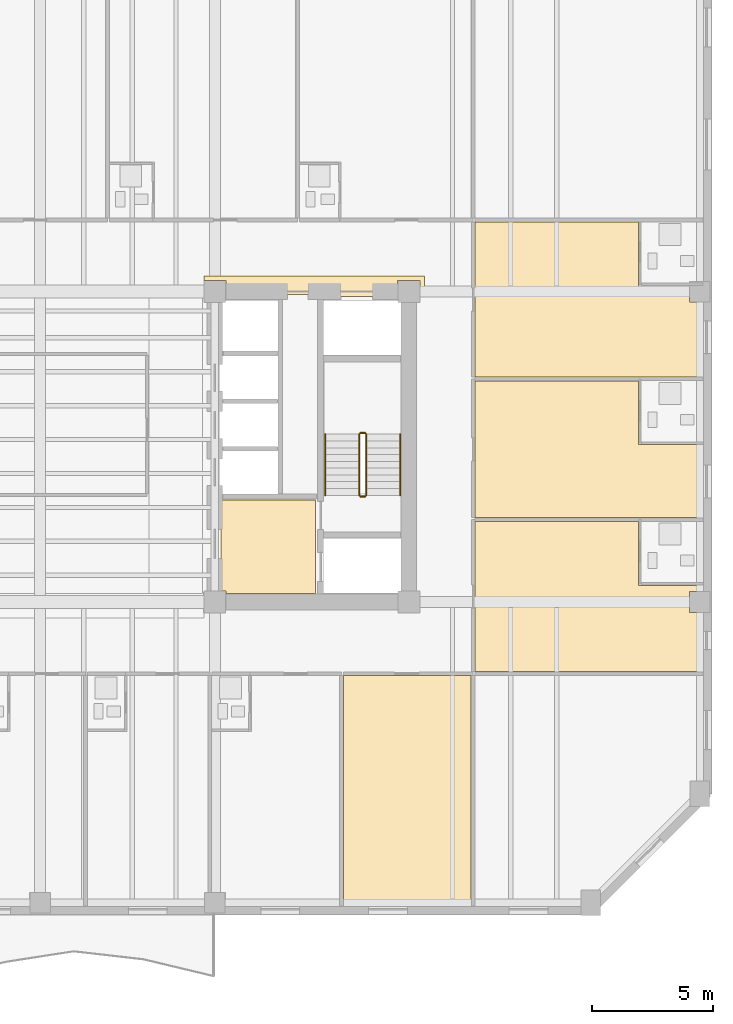
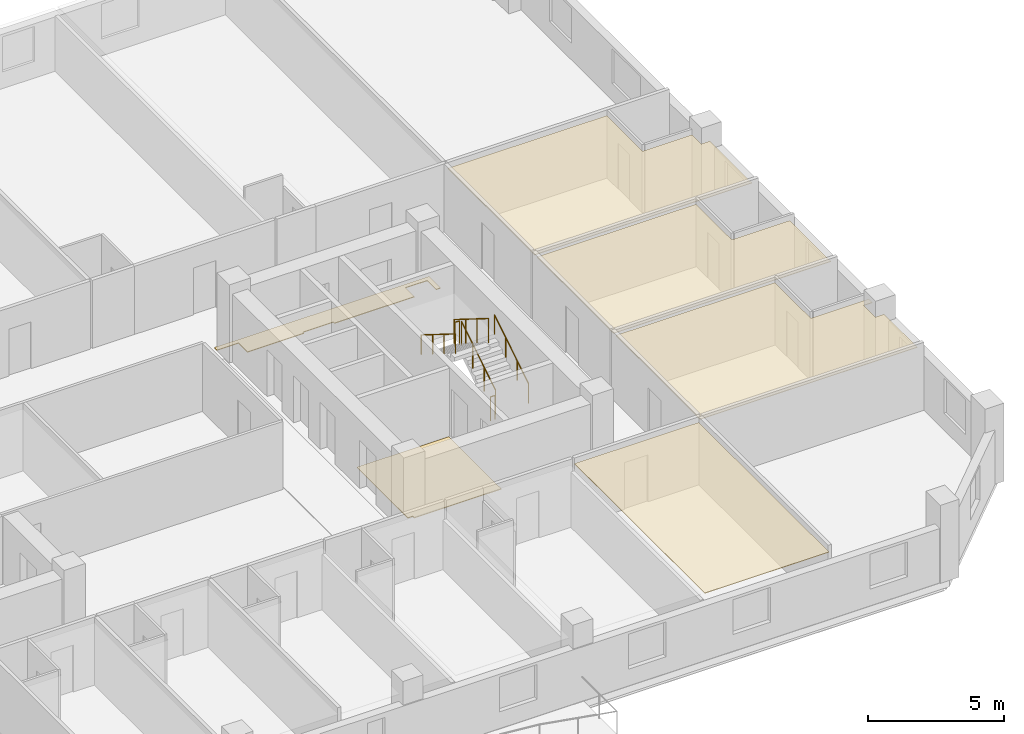
# One storey, part 11 of 13: 6 coverings, 6 railings.
"""IFC4 building model written with IfcOpenShell, lengths in metres."""

import ifcopenshell
import ifcopenshell.guid

model = None  # the IFC model being written
_history = None  # IfcOwnerHistory: only IFC2X3 demands one
_inside = {}  # id of a spatial element -> (the spatial element, [elements in it])
_under = {}  # id of a project, library or spatial element -> (it, [spatial elements below it])
_declared = {}  # id of a project -> (the project, [libraries it declares])
_typed = {}  # id of a type object -> (the type object, [elements of that type])
_made_of = {}  # id of a material, layer set ... -> (it, [elements and type objects made of it])


def new_model(schema):
    """Start an empty IFC model of exactly this schema.

    Asked for "IFC4X3", IfcOpenShell would pick the latest addendum, in which some entities
    have other attributes; the version numbers below select the first issue.
    IFC2X3 requires an IfcOwnerHistory on every rooted entity: one is made here for all.
    """
    global model, _history
    if schema == "IFC4X3":
        model = ifcopenshell.file(schema_version=(4, 3, 0, 0))
    else:
        model = ifcopenshell.file(schema=schema)
    _inside.clear()
    _under.clear()
    _declared.clear()
    _typed.clear()
    _made_of.clear()
    _history = None
    if model.schema == "IFC2X3":
        org = make("IfcOrganization", Name="unknown")
        user = make(
            "IfcPersonAndOrganization",
            ThePerson=make("IfcPerson", FamilyName="unknown"),
            TheOrganization=org,
        )
        app = make(
            "IfcApplication",
            ApplicationDeveloper=org,
            Version="unknown",
            ApplicationFullName="unknown",
            ApplicationIdentifier="unknown",
        )
        _history = make(
            "IfcOwnerHistory",
            OwningUser=user,
            OwningApplication=app,
            ChangeAction="ADDED",
            CreationDate=0,
        )
    return model


def make(cls, **values):
    """One entity of the class cls with the attributes given. An attribute that is None is left unset."""
    return model.create_entity(
        cls, **{name: value for name, value in values.items() if value is not None}
    )


def rooted(cls, **values):
    """An entity with a GlobalId (a new one), such as an element, a storey or a relation."""
    return make(cls, GlobalId=ifcopenshell.guid.new(), OwnerHistory=_history, **values)


def si_unit(unit_type, name, prefix=None):
    """IfcSIUnit, for example si_unit("LENGTHUNIT", "METRE", prefix="MILLI")."""
    return make("IfcSIUnit", UnitType=unit_type, Prefix=prefix, Name=name)


def assignment(units):
    """IfcUnitAssignment: the units of a project."""
    return None if units is None else make("IfcUnitAssignment", Units=units)


def point(xyz):
    """IfcCartesianPoint."""
    return None if xyz is None else make("IfcCartesianPoint", Coordinates=xyz)


def direction(xyz):
    """IfcDirection."""
    return None if xyz is None else make("IfcDirection", DirectionRatios=xyz)


def frame(location, z_axis=None, x_axis=None):
    """IfcAxis2Placement3D, a coordinate frame: its origin and axes. An axis left out is left unset."""
    return make(
        "IfcAxis2Placement3D",
        Location=point(location),
        Axis=direction(z_axis),
        RefDirection=direction(x_axis),
    )


def frame_2d(location, x_axis=None):
    """IfcAxis2Placement2D, a coordinate frame in the plane: its origin and x axis."""
    return make(
        "IfcAxis2Placement2D", Location=point(location), RefDirection=direction(x_axis)
    )


def origin():
    """The frame at (0, 0, 0) with its axes left unset."""
    return frame((0.0, 0.0, 0.0))


def origin_2d():
    """The frame at (0, 0) in the plane with its x axis left unset."""
    return frame_2d((0.0, 0.0))


def place(relative_to, where):
    """IfcLocalPlacement: puts the frame where relative to a parent placement (None: the world)."""
    return make(
        "IfcLocalPlacement", PlacementRelTo=relative_to, RelativePlacement=where
    )


def context(
    kind, dimensions, precision=None, world=None, true_north=None, identifier=None
):
    """IfcGeometricRepresentationContext, for example the 3D "Model" context."""
    return make(
        "IfcGeometricRepresentationContext",
        ContextIdentifier=identifier,
        ContextType=kind,
        CoordinateSpaceDimension=dimensions,
        Precision=precision,
        WorldCoordinateSystem=world,
        TrueNorth=true_north,
    )


def subcontext(parent, identifier, kind, view, scale=None):
    """IfcGeometricRepresentationSubContext, for example "Body" below "Model"."""
    return make(
        "IfcGeometricRepresentationSubContext",
        ContextIdentifier=identifier,
        ContextType=kind,
        ParentContext=parent,
        TargetScale=scale,
        TargetView=view,
    )


def project(units=None, contexts=None):
    """IfcProject with its units and contexts."""
    return rooted(
        "IfcProject",
        Name="project",
        RepresentationContexts=contexts,
        UnitsInContext=assignment(units),
    )


def spatial(cls, under=None, at=None, **own):
    """A site, building, storey or space (cls), placed at a placement, below another one or the project."""
    s = rooted(cls, ObjectPlacement=at, **own)
    if under is not None:
        _under.setdefault(under.id(), (under, []))[1].append(s)
    return s


def polyline(points):
    """IfcPolyline through the points."""
    return make("IfcPolyline", Points=[point(p) for p in points])


def profile(cls, at=None, kind="AREA", **sizes):
    """A parametric profile (cls). Its sizes go by their IFC names, for example OverallWidth=200.0."""
    return make(cls, ProfileType=kind, Position=at, **sizes)


def circle(**sizes):
    """IfcCircleProfileDef."""
    return profile("IfcCircleProfileDef", **sizes)


def outline(outer, holes=None, kind="AREA"):
    """IfcArbitraryClosedProfileDef: a profile drawn as a closed curve; with holes, ...WithVoids."""
    if holes is None:
        return make("IfcArbitraryClosedProfileDef", ProfileType=kind, OuterCurve=outer)
    return make(
        "IfcArbitraryProfileDefWithVoids",
        ProfileType=kind,
        OuterCurve=outer,
        InnerCurves=holes,
    )


def extrude(swept, where, along, depth):
    """IfcExtrudedAreaSolid: the profile swept, set in the frame where, extruded along a direction by depth."""
    return make(
        "IfcExtrudedAreaSolid",
        SweptArea=swept,
        Position=where,
        ExtrudedDirection=direction(along),
        Depth=depth,
    )


def shape(context_of_items, identifier, shape_type, items):
    """IfcShapeRepresentation: the items that make up one representation, for example the "Body"."""
    return make(
        "IfcShapeRepresentation",
        ContextOfItems=context_of_items,
        RepresentationIdentifier=identifier,
        RepresentationType=shape_type,
        Items=items,
    )


def material(Name=None, Category=None):
    """IfcMaterial."""
    return make("IfcMaterial", Name=Name, Category=Category)


def layer(
    of_material, thickness, ventilated=None, Name=None, Category=None, Priority=None
):
    """IfcMaterialLayer: one layer of a wall or slab, of a material (None: an air gap)."""
    return make(
        "IfcMaterialLayer",
        Material=of_material,
        LayerThickness=thickness,
        IsVentilated=ventilated,
        Name=Name,
        Category=Category,
        Priority=Priority,
    )


def layer_set(layers, Name=None):
    """IfcMaterialLayerSet."""
    return make("IfcMaterialLayerSet", MaterialLayers=layers, LayerSetName=Name)


def made_of(thing, what):
    """Note that an element or type object is made of a material, layer set ...; save() writes the relation."""
    if what is not None:
        _made_of.setdefault(what.id(), (what, []))[1].append(thing)
    return thing


def type_object(cls, material=None, **own):
    """A type object (cls), such as IfcWallType, which elements share."""
    return made_of(rooted(cls, **own), material)


def element(
    cls,
    number,
    at=None,
    inside=None,
    cuts=None,
    type_object=None,
    material=None,
    context=None,
    identifier="Body",
    shape_type=None,
    held_by="IfcProductDefinitionShape",
    body=None,
    shapes=None,
    **own,
):
    """One element of the class cls, such as IfcWall. Its Tag is "e" and its number.

    at: its placement. inside: the storey or other place that contains it. cuts: it is an
    opening in that element (IfcRelVoidsElement). A single representation is given by context,
    identifier, shape_type and body (its items); several are given by shapes. held_by: the class
    of the entity that holds the representations. save() writes the other relations.
    """
    e = rooted(cls, Tag="e%d" % number, ObjectPlacement=at, **own)
    if body is not None:
        shapes = [shape(context, identifier, shape_type, body)]
    if shapes is not None:
        e.Representation = make(held_by, Representations=shapes)
    if inside is not None:
        _inside.setdefault(inside.id(), (inside, []))[1].append(e)
    if cuts is not None:
        rooted(
            "IfcRelVoidsElement", RelatingBuildingElement=cuts, RelatedOpeningElement=e
        )
    if type_object is not None:
        _typed.setdefault(type_object.id(), (type_object, []))[1].append(e)
    return made_of(e, material)


def aggregate(whole, parts):
    """IfcRelAggregates: a whole, such as a stair, and the parts it consists of."""
    return rooted("IfcRelAggregates", RelatingObject=whole, RelatedObjects=parts)


def save(model, path):
    """Write the relations noted so far, then the file.

    IfcRelAggregates (storeys below a building ...), IfcRelContainedInSpatialStructure (elements
    in a storey), IfcRelDefinesByType, IfcRelAssociatesMaterial and IfcRelDeclares: one each for
    every whole, place, type object, material and project.
    """
    for whole, parts in _under.values():
        aggregate(whole, parts)
    for where, things in _inside.values():
        rooted(
            "IfcRelContainedInSpatialStructure",
            RelatedElements=things,
            RelatingStructure=where,
        )
    for kind, things in _typed.values():
        rooted("IfcRelDefinesByType", RelatedObjects=things, RelatingType=kind)
    for what, things in _made_of.values():
        rooted("IfcRelAssociatesMaterial", RelatedObjects=things, RelatingMaterial=what)
    for by, libraries in _declared.values():
        rooted("IfcRelDeclares", RelatingContext=by, RelatedDefinitions=libraries)
    model.write(path)


model = new_model("IFC4")

# Units and contexts
model_context = context("Model", 3, precision=1e-05, world=origin(), true_north=direction((0.0, 1.0)))
body_context = subcontext(model_context, "Body", "Model", "MODEL_VIEW")
ifc_project = project(units=[si_unit("LENGTHUNIT", "METRE"), si_unit("AREAUNIT", "SQUARE_METRE"), si_unit("VOLUMEUNIT", "CUBIC_METRE"), si_unit("PLANEANGLEUNIT", "RADIAN"), si_unit("MASSUNIT", "GRAM", prefix="KILO")], contexts=[model_context])

# Site, building, storey
site_placement = place(None, origin())
site = spatial("IfcSite", under=ifc_project, at=site_placement, CompositionType="ELEMENT")
building_placement = place(site_placement, origin())
building = spatial("IfcBuilding", under=site, at=building_placement, Name="Kranthara Brick Stack", CompositionType="ELEMENT")
storey_placement = place(building_placement, frame((0.0, 0.0, 179.800048828125)))
storey = spatial("IfcBuildingStorey", under=building, at=storey_placement, Name="L46", CompositionType="ELEMENT", Elevation=179.800048828125)

# Coverings
ifc_material_1 = material(Name="Perforated mineral-fibre acoustic ceiling tile", Category="other")
ifc_layer_1 = layer(ifc_material_1, 0.02490234375)
ifc_layer_set_1 = layer_set([ifc_layer_1], Name="Perforated mineral-fibre acoustic ceiling tile")
covering_type_1 = type_object("IfcCoveringType", Name="COV-CEIL-ACOUSTIC", PredefinedType="CEILING", material=ifc_layer_set_1)
covering_1_placement = place(storey_placement, frame((0.0, 0.0, 2.780029296875)))
element("IfcCovering", 1, at=covering_1_placement, inside=storey, type_object=covering_type_1, Name="L46 L46 Guest Sky Lounge 6 Acoustic Ceiling", PredefinedType="CEILING", context=body_context, shape_type="SweptSolid", body=[
    extrude(outline(polyline([(45.77001953125, 8.199951171875), (45.77001953125, 17.77001953125), (40.5029296875, 17.77001953125), (40.5029296875, 8.199951171875), (45.77001953125, 8.199951171875)])), origin(), (0.0, 0.0, 1.0), 0.02490234375),
])
covering_2_placement = place(storey_placement, frame((0.0, 0.0, 2.780029296875)))
element("IfcCovering", 2, at=covering_2_placement, inside=storey, type_object=covering_type_1, Name="L46 Room L46-11 Hotel Guest Room Acoustic Ceiling", PredefinedType="CEILING", context=body_context, shape_type="SweptSolid", body=[
    extrude(outline(polyline([(55.1298828125, 17.929931640625), (45.919921875, 17.929931640625), (45.919921875, 24.1201171875), (52.669921875, 24.1201171875), (52.669921875, 21.489990234375), (55.1298828125, 21.489990234375), (55.1298828125, 21.235107421875), (54.764892578125, 21.235107421875), (54.764892578125, 20.364990234375), (55.1298828125, 20.364990234375), (55.1298828125, 17.929931640625)])), origin(), (0.0, 0.0, 1.0), 0.02490234375),
])
covering_3_placement = place(storey_placement, frame((0.0, 0.0, 2.780029296875)))
element("IfcCovering", 3, at=covering_3_placement, inside=storey, type_object=covering_type_1, Name="L46 Room L46-12 Hotel Guest Room Acoustic Ceiling", PredefinedType="CEILING", context=body_context, shape_type="SweptSolid", body=[
    extrude(outline(polyline([(45.919921875, 24.280029296875), (55.1298828125, 24.280029296875), (55.1298828125, 27.2900390625), (52.669921875, 27.2900390625), (52.669921875, 29.919921875), (45.919921875, 29.919921875), (45.919921875, 24.280029296875)])), origin(), (0.0, 0.0, 1.0), 0.02490234375),
])
covering_4_placement = place(storey_placement, frame((0.0, 0.0, 2.780029296875)))
element("IfcCovering", 4, at=covering_4_placement, inside=storey, type_object=covering_type_1, Name="L46 Room L46-13 Hotel Guest Room Acoustic Ceiling", PredefinedType="CEILING", context=body_context, shape_type="SweptSolid", body=[
    extrude(outline(polyline([(55.1298828125, 30.080078125), (45.919921875, 30.080078125), (45.919921875, 36.469970703125), (52.669921875, 36.469970703125), (52.669921875, 33.840087890625), (54.764892578125, 33.840087890625), (54.764892578125, 33.1650390625), (55.1298828125, 33.1650390625), (55.1298828125, 30.080078125)])), origin(), (0.0, 0.0, 1.0), 0.02490234375),
])
ifc_material_2 = material(Name="Honed terrazzo and porcelain floor finish", Category="stone")
ifc_layer_2 = layer(ifc_material_2, 0.030029296875)
ifc_layer_set_2 = layer_set([ifc_layer_2], Name="Honed terrazzo and porcelain floor finish")
covering_type_2 = type_object("IfcCoveringType", Name="COV-FLOR-STONE", PredefinedType="FLOORING", material=ifc_layer_set_2)
covering_5_placement = place(storey_placement, origin())
element("IfcCovering", 5, at=covering_5_placement, inside=storey, type_object=covering_type_2, Name="L46 Lift Lobby Stone Flooring", PredefinedType="FLOORING", context=body_context, shape_type="SweptSolid", body=[
    extrude(outline(polyline([(35.449951171875, 25.0), (39.35009765625, 25.0), (39.35009765625, 21.14990234375), (35.659912109375, 21.14990234375), (35.659912109375, 21.260009765625), (35.449951171875, 21.260009765625), (35.449951171875, 25.0)])), origin(), (0.0, 0.0, 1.0), 0.030029296875),
])
covering_6_placement = place(storey_placement, origin())
element("IfcCovering", 6, at=covering_6_placement, inside=storey, type_object=covering_type_2, Name="L46 Lift Lobby Stone Flooring", PredefinedType="FLOORING", context=body_context, shape_type="SweptSolid", body=[
    extrude(outline(polyline([(43.659912109375, 33.39990234375), (43.659912109375, 34.06005859375), (42.739990234375, 34.06005859375), (42.739990234375, 33.39990234375), (39.35009765625, 33.39990234375), (39.35009765625, 33.47998046875), (38.050048828125, 33.47998046875), (38.050048828125, 33.39990234375), (35.659912109375, 33.39990234375), (35.659912109375, 34.06005859375), (34.75, 34.06005859375), (34.75, 34.25), (43.85009765625, 34.25), (43.85009765625, 33.39990234375), (43.659912109375, 33.39990234375)])), origin(), (0.0, 0.0, 1.0), 0.030029296875),
])

# Railings
ifc_material_3 = material(Name="Painted galvanized steel stair guardrail", Category="steel")
railing_type_1 = type_object("IfcRailingType", Name="RL-STAIR-GUARD-1100", PredefinedType="GUARDRAIL", material=ifc_material_3)
railing_1_placement = place(storey_placement, frame((41.449951171875, 25.199951171875, 0.175048828125)))
element("IfcRailing", 7, at=railing_1_placement, inside=storey, type_object=railing_type_1, Name="L46 ST02 stair guard 1", PredefinedType="GUARDRAIL", context=body_context, shape_type="SweptSolid", body=[
    extrude(circle(Radius=0.02392578125, at=origin_2d()), frame((0.0, 0.0, 1.076171875), z_axis=(0.0, 0.848007534815, 0.529984170421), x_axis=(-1.0, 0.0, 0.0)), (0.0, 0.0, 1.0), 2.9716796875),
    extrude(circle(Radius=0.02099609375, at=origin_2d()), origin(), (0.0, 0.0, 1.0), 1.052001953125),
    extrude(circle(Radius=0.02099609375, at=origin_2d()), frame((0.0, 0.840087890625, 0.52490234375)), (0.0, 0.0, 1.0), 1.052001953125),
    extrude(circle(Radius=0.02099609375, at=origin_2d()), frame((0.0, 1.679931640625, 1.050048828125)), (0.0, 0.0, 1.0), 1.052001953125),
    extrude(circle(Radius=0.02099609375, at=origin_2d()), frame((0.0, 2.52001953125, 1.574951171875)), (0.0, 0.0, 1.0), 1.052001953125),
])
railing_2_placement = place(storey_placement, frame((41.39990234375, 27.77001953125, 1.75)))
element("IfcRailing", 8, at=railing_2_placement, inside=storey, type_object=railing_type_1, Name="L46 ST02 stair guard 2", PredefinedType="GUARDRAIL", context=body_context, shape_type="SweptSolid", body=[
    extrude(circle(Radius=0.02392578125, at=origin_2d()), frame((0.0, 0.0, 1.076171875), z_axis=(-1.0, 0.0, 0.0), x_axis=(0.0, -1.0, 0.0)), (0.0, 0.0, 1.0), 0.199951171875),
    extrude(circle(Radius=0.02099609375, at=origin_2d()), origin(), (0.0, 0.0, 1.0), 1.052001953125),
    extrude(circle(Radius=0.02099609375, at=origin_2d()), frame((-0.199951171875, 0.0, 0.0)), (0.0, 0.0, 1.0), 1.052001953125),
])
railing_3_placement = place(storey_placement, frame((41.14990234375, 27.719970703125, 1.925048828125)))
element("IfcRailing", 9, at=railing_3_placement, inside=storey, type_object=railing_type_1, Name="L46 ST02 stair guard 3", PredefinedType="GUARDRAIL", context=body_context, shape_type="SweptSolid", body=[
    extrude(circle(Radius=0.02392578125, at=origin_2d()), frame((0.0, 0.0, 1.076171875), z_axis=(0.0, -0.848007534815, 0.529984170421), x_axis=(1.0, 0.0, 0.0)), (0.0, 0.0, 1.0), 2.9716796875),
    extrude(circle(Radius=0.02099609375, at=origin_2d()), origin(), (0.0, 0.0, 1.0), 1.052001953125),
    extrude(circle(Radius=0.02099609375, at=origin_2d()), frame((0.0, -0.840087890625, 0.52490234375)), (0.0, 0.0, 1.0), 1.052001953125),
    extrude(circle(Radius=0.02099609375, at=origin_2d()), frame((0.0, -1.679931640625, 1.050048828125)), (0.0, 0.0, 1.0), 1.052001953125),
    extrude(circle(Radius=0.02099609375, at=origin_2d()), frame((0.0, -2.52001953125, 1.574951171875)), (0.0, 0.0, 1.0), 1.052001953125),
])
railing_4_placement = place(storey_placement, frame((41.39990234375, 25.14990234375, 0.0)))
element("IfcRailing", 10, at=railing_4_placement, inside=storey, type_object=railing_type_1, Name="L46 ST02 stair guard 4", PredefinedType="GUARDRAIL", context=body_context, shape_type="SweptSolid", body=[
    extrude(circle(Radius=0.02392578125, at=origin_2d()), frame((0.0, 0.0, 1.076171875), z_axis=(-1.0, 0.0, 0.0), x_axis=(0.0, -1.0, 0.0)), (0.0, 0.0, 1.0), 0.199951171875),
    extrude(circle(Radius=0.02099609375, at=origin_2d()), origin(), (0.0, 0.0, 1.0), 1.052001953125),
    extrude(circle(Radius=0.02099609375, at=origin_2d()), frame((-0.199951171875, 0.0, 0.0)), (0.0, 0.0, 1.0), 1.052001953125),
])
ifc_material_4 = material(Name="Brushed stainless steel tubular handrail", Category="steel")
railing_type_2 = type_object("IfcRailingType", Name="RL-STAIR-HAND-900", PredefinedType="HANDRAIL", material=ifc_material_4)
railing_5_placement = place(storey_placement, frame((42.85009765625, 25.199951171875, 0.175048828125)))
element("IfcRailing", 11, at=railing_5_placement, inside=storey, type_object=railing_type_2, Name="L46 ST02 stair handrail 1", PredefinedType="HANDRAIL", context=body_context, shape_type="SweptSolid", body=[
    extrude(circle(Radius=0.02392578125, at=origin_2d()), frame((0.0, 0.0, 0.8759765625), z_axis=(0.0, 0.848007534815, 0.529984170421), x_axis=(-1.0, 0.0, 0.0)), (0.0, 0.0, 1.0), 2.9716796875),
    extrude(circle(Radius=0.02099609375, at=origin_2d()), origin(), (0.0, 0.0, 1.0), 0.851806640625),
    extrude(circle(Radius=0.02099609375, at=origin_2d()), frame((0.0, 0.840087890625, 0.52490234375)), (0.0, 0.0, 1.0), 0.851806640625),
    extrude(circle(Radius=0.02099609375, at=origin_2d()), frame((0.0, 1.679931640625, 1.050048828125)), (0.0, 0.0, 1.0), 0.851806640625),
    extrude(circle(Radius=0.02099609375, at=origin_2d()), frame((0.0, 2.52001953125, 1.574951171875)), (0.0, 0.0, 1.0), 0.851806640625),
])
railing_6_placement = place(storey_placement, frame((39.75, 27.719970703125, 1.925048828125)))
element("IfcRailing", 12, at=railing_6_placement, inside=storey, type_object=railing_type_2, Name="L46 ST02 stair handrail 2", PredefinedType="HANDRAIL", context=body_context, shape_type="SweptSolid", body=[
    extrude(circle(Radius=0.02392578125, at=origin_2d()), frame((0.0, 0.0, 0.8759765625), z_axis=(0.0, -0.848007534815, 0.529984170421), x_axis=(1.0, 0.0, 0.0)), (0.0, 0.0, 1.0), 2.9716796875),
    extrude(circle(Radius=0.02099609375, at=origin_2d()), origin(), (0.0, 0.0, 1.0), 0.851806640625),
    extrude(circle(Radius=0.02099609375, at=origin_2d()), frame((0.0, -0.840087890625, 0.52490234375)), (0.0, 0.0, 1.0), 0.851806640625),
    extrude(circle(Radius=0.02099609375, at=origin_2d()), frame((0.0, -1.679931640625, 1.050048828125)), (0.0, 0.0, 1.0), 0.851806640625),
    extrude(circle(Radius=0.02099609375, at=origin_2d()), frame((0.0, -2.52001953125, 1.574951171875)), (0.0, 0.0, 1.0), 0.851806640625),
])

save(model, "model.ifc")
